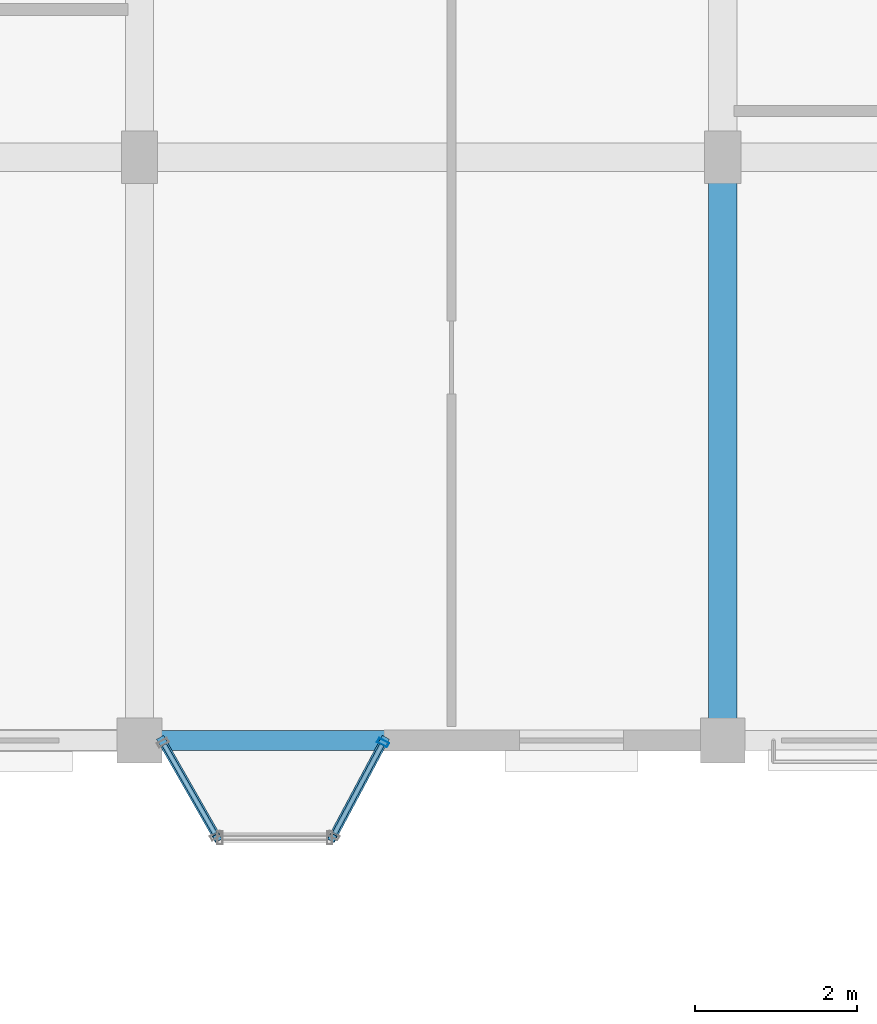
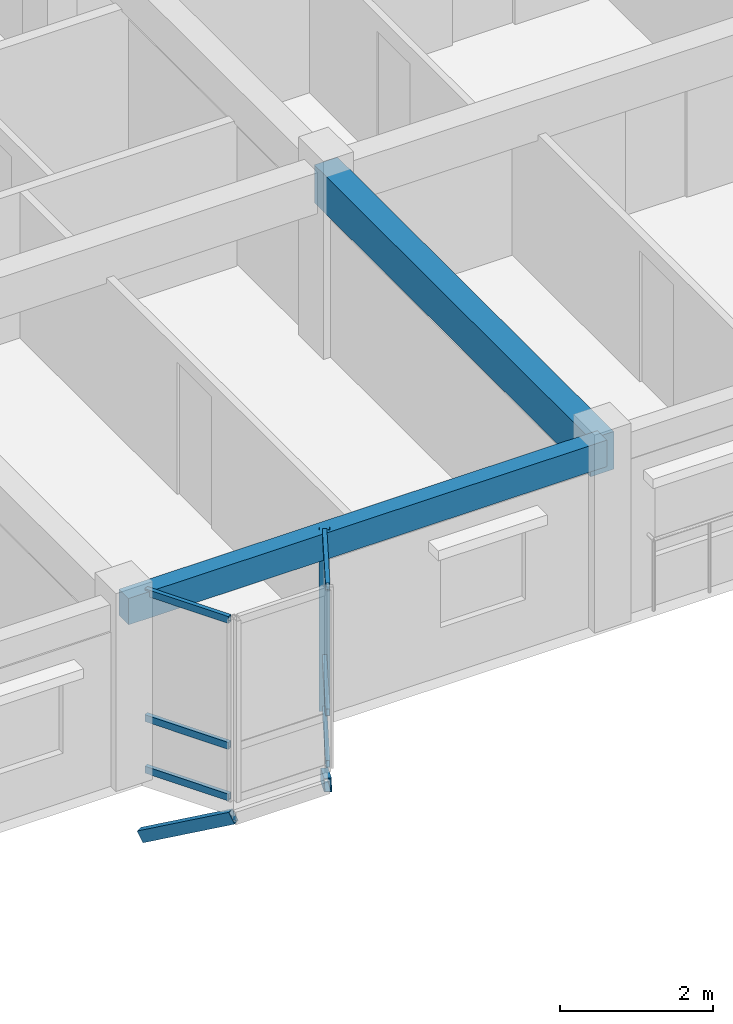
# One storey, part 34 of 79: 9 members, 2 beams, 2 elements without a shape of their own.
"""IFC4 building model written with IfcOpenShell, lengths in metres."""

from ifc_helpers import new_model, si_unit, direction, frame, origin, origin_2d, place, context, subcontext, project, spatial, rectangle, hollow_rectangle, extrude, material, layer, layer_set, material_profile, profile_set, type_object, element, aggregate, save


model = new_model("IFC4")

# Units and contexts
model_context = context("Model", 3, precision=1e-05, world=origin(), true_north=direction((0.0, 1.0)))
body_context = subcontext(model_context, "Body", "Model", "MODEL_VIEW")
ifc_project = project(units=[si_unit("LENGTHUNIT", "METRE"), si_unit("AREAUNIT", "SQUARE_METRE"), si_unit("VOLUMEUNIT", "CUBIC_METRE"), si_unit("PLANEANGLEUNIT", "RADIAN"), si_unit("MASSUNIT", "GRAM", prefix="KILO"), si_unit("THERMODYNAMICTEMPERATUREUNIT", "KELVIN"), si_unit("POWERUNIT", "WATT")], contexts=[model_context])

# Site, building, storey
site_placement = place(None, origin())
site = spatial("IfcSite", under=ifc_project, at=site_placement, CompositionType="ELEMENT")
building_placement = place(site_placement, origin())
building = spatial("IfcBuilding", under=site, at=building_placement, Name="Tavuni Mirador Residences", CompositionType="ELEMENT")
storey_placement = place(building_placement, frame((0.0, 0.0, 13.949951171875)))
storey = spatial("IfcBuildingStorey", under=building, at=storey_placement, Name="L04", CompositionType="ELEMENT", Elevation=13.949951171875)

# Beams
ifc_material_1 = material(Name="Precast concrete C40/50", Category="concrete")
ifc_material_profile_1 = material_profile(ifc_material_1, rectangle(XDim=0.35009765625, YDim=0.60009765625, at=origin_2d()), Name="PC 350x600", Category="concrete")
ifc_profile_set_1 = profile_set([ifc_material_profile_1], Name="Precast concrete C40/50")
beam_type_1 = type_object("IfcBeamType", Name="BT-B600", PredefinedType="BEAM", material=ifc_profile_set_1)
beam_1_placement = place(storey_placement, frame((25.199951171875, 144.0, 2.5849609375), z_axis=(0.0, 1.0, 0.0), x_axis=(-1.0, 0.0, 0.0)))
element("IfcBeam", 1, at=beam_1_placement, inside=storey, type_object=beam_type_1, Name="BMY-BLK-C-L04-02-00", PredefinedType="BEAM", context=body_context, shape_type="SweptSolid", body=[
    extrude(rectangle(XDim=0.35009765625, YDim=0.60009765625, at=origin_2d()), origin(), (0.0, 0.0, 1.0), 7.199951171875),
])
ifc_material_profile_2 = material_profile(ifc_material_1, rectangle(XDim=0.25, YDim=0.419921875, at=origin_2d()), Name="PC 250x420", Category="concrete")
ifc_profile_set_2 = profile_set([ifc_material_profile_2], Name="Precast concrete C40/50")
beam_type_2 = type_object("IfcBeamType", Name="BT-SP420", PredefinedType="SPANDREL", material=ifc_profile_set_2)
beam_2_placement = place(storey_placement, frame((18.0, 144.0, 2.675048828125), z_axis=(1.0, 0.0, 0.0), x_axis=(0.0, 1.0, 0.0)))
element("IfcBeam", 2, at=beam_2_placement, inside=storey, type_object=beam_type_2, Name="BMX-BLK-C-L04-01-00", PredefinedType="SPANDREL", context=body_context, shape_type="SweptSolid", body=[
    extrude(rectangle(XDim=0.25, YDim=0.419921875, at=origin_2d()), origin(), (0.0, 0.0, 1.0), 7.199951171875),
])

# Curtain wall, member
ifc_material_2 = material(Name="Anodised aluminium", Category="aluminium")
ifc_layer_1 = layer(ifc_material_2, 0.1650390625, Name="Anodised aluminium", Category="aluminium")
ifc_layer_set_1 = layer_set([ifc_layer_1], Name="Anodised aluminium")
curtain_wall_type_1 = type_object("IfcCurtainWallType", Name="CWT-MIR-A", PredefinedType="NOTDEFINED", material=ifc_layer_set_1)
curtain_wall_1_placement = place(storey_placement, origin())
curtain_wall_1 = element("IfcCurtainWall", 3, at=curtain_wall_1_placement, inside=storey, type_object=curtain_wall_type_1, Name="CW-MIR-C-S1-L04-M2", PredefinedType="NOTDEFINED")
ifc_material_profile_3 = material_profile(ifc_material_2, hollow_rectangle(XDim=0.06005859375, YDim=0.139892578125, WallThickness=0.00390625, at=origin_2d()), Name="ALU 60x140x4.0", Category="aluminium")
ifc_profile_set_3 = profile_set([ifc_material_profile_3], Name="Anodised aluminium")
member_type_1 = type_object("IfcMemberType", Name="CWM-140", PredefinedType="MULLION", material=ifc_profile_set_3)
member_1_placement = place(storey_placement, frame((21.005859375, 143.9736328125, 0.0), z_axis=(0.0, 0.0, 1.0), x_axis=(0.470588235296, 0.882352941175, 0.0)))
member_1 = element("IfcMember", 4, at=member_1_placement, type_object=member_type_1, Name="CW-01 mullion 2", PredefinedType="MULLION", context=body_context, shape_type="SweptSolid", body=[
    extrude(hollow_rectangle(XDim=0.06005859375, YDim=0.139892578125, WallThickness=0.00390625, at=origin_2d()), origin(), (0.0, 0.0, 1.0), 2.885009765625),
])

# Curtain wall, members
ifc_layer_2 = layer(ifc_material_2, 0.175048828125, Name="Anodised aluminium", Category="aluminium")
ifc_layer_set_2 = layer_set([ifc_layer_2], Name="Anodised aluminium")
curtain_wall_type_2 = type_object("IfcCurtainWallType", Name="CWT-MIR-C", PredefinedType="NOTDEFINED", material=ifc_layer_set_2)
curtain_wall_2_placement = place(storey_placement, origin())
curtain_wall_2 = element("IfcCurtainWall", 5, at=curtain_wall_2_placement, inside=storey, type_object=curtain_wall_type_2, Name="CW-MIR-C-S1-L04-M1", PredefinedType="NOTDEFINED")
ifc_material_profile_4 = material_profile(ifc_material_2, hollow_rectangle(XDim=0.06005859375, YDim=0.110107421875, WallThickness=0.00390625, at=origin_2d()), Name="ALU 60x110x4.0", Category="aluminium")
ifc_profile_set_4 = profile_set([ifc_material_profile_4], Name="Anodised aluminium")
member_type_2 = type_object("IfcMemberType", Name="CWT-110", PredefinedType="USERDEFINED", material=ifc_profile_set_4)
member_2_placement = place(storey_placement, frame((18.3046875, 143.947998046875, 0.030029296875), z_axis=(0.49568048457, -0.868504955205, 0.0), x_axis=(0.868504955205, 0.49568048457, 0.0)))
member_2 = element("IfcMember", 6, at=member_2_placement, type_object=member_type_2, Name="CW-03 transom 1.1", ObjectType="TRANSOM", PredefinedType="USERDEFINED", context=body_context, shape_type="SweptSolid", body=[
    extrude(hollow_rectangle(XDim=0.06005859375, YDim=0.110107421875, WallThickness=0.00390625, at=origin_2d()), origin(), (0.0, 0.0, 1.0), 1.261962890625),
])
member_3_placement = place(storey_placement, frame((18.3046875, 143.947998046875, 0.85009765625), z_axis=(0.49568048457, -0.868504955205, 0.0), x_axis=(0.868504955205, 0.49568048457, 0.0)))
member_3 = element("IfcMember", 7, at=member_3_placement, type_object=member_type_2, Name="CW-03 transom 1.2", ObjectType="TRANSOM", PredefinedType="USERDEFINED", context=body_context, shape_type="SweptSolid", body=[
    extrude(hollow_rectangle(XDim=0.06005859375, YDim=0.110107421875, WallThickness=0.00390625, at=origin_2d()), origin(), (0.0, 0.0, 1.0), 1.261962890625),
])
member_4_placement = place(storey_placement, frame((18.3046875, 143.947998046875, 2.85498046875), z_axis=(0.49568048457, -0.868504955205, 0.0), x_axis=(0.868504955205, 0.49568048457, 0.0)))
member_4 = element("IfcMember", 8, at=member_4_placement, type_object=member_type_2, Name="CW-03 transom 1.3", ObjectType="TRANSOM", PredefinedType="USERDEFINED", context=body_context, shape_type="SweptSolid", body=[
    extrude(hollow_rectangle(XDim=0.06005859375, YDim=0.110107421875, WallThickness=0.00390625, at=origin_2d()), origin(), (0.0, 0.0, 1.0), 1.261962890625),
])
aggregate(curtain_wall_2, [member_2, member_3, member_4])

# Member
member_5_placement = place(storey_placement, frame((20.408203125, 142.85302734375, 0.030029296875), z_axis=(0.470608675382, 0.882342039492, 0.0), x_axis=(-0.882342039492, 0.470608675382, 0.0)))
member_5 = element("IfcMember", 9, at=member_5_placement, type_object=member_type_2, Name="CW-01 transom 1.1", ObjectType="TRANSOM", PredefinedType="USERDEFINED", context=body_context, shape_type="SweptSolid", body=[
    extrude(hollow_rectangle(XDim=0.06005859375, YDim=0.110107421875, WallThickness=0.00390625, at=origin_2d()), origin(), (0.0, 0.0, 1.0), 1.239990234375),
])

member_6_placement = place(storey_placement, frame((20.408203125, 142.85302734375, 0.85009765625), z_axis=(0.470608675382, 0.882342039492, 0.0), x_axis=(-0.882342039492, 0.470608675382, 0.0)))
member_6 = element("IfcMember", 10, at=member_6_placement, type_object=member_type_2, Name="CW-01 transom 1.2", ObjectType="TRANSOM", PredefinedType="USERDEFINED", context=body_context, shape_type="SweptSolid", body=[
    extrude(hollow_rectangle(XDim=0.06005859375, YDim=0.110107421875, WallThickness=0.00390625, at=origin_2d()), origin(), (0.0, 0.0, 1.0), 1.239990234375),
])

member_7_placement = place(storey_placement, frame((20.408203125, 142.85302734375, 2.85498046875), z_axis=(0.470608675382, 0.882342039492, 0.0), x_axis=(-0.882342039492, 0.470608675382, 0.0)))
member_7 = element("IfcMember", 11, at=member_7_placement, type_object=member_type_2, Name="CW-01 transom 1.3", ObjectType="TRANSOM", PredefinedType="USERDEFINED", context=body_context, shape_type="SweptSolid", body=[
    extrude(hollow_rectangle(XDim=0.06005859375, YDim=0.110107421875, WallThickness=0.00390625, at=origin_2d()), origin(), (0.0, 0.0, 1.0), 1.239990234375),
])

aggregate(curtain_wall_1, [member_1, member_5, member_6, member_7])

# Members
ifc_material_3 = material(Name="Structural steel S355", Category="steel")
ifc_material_profile_5 = material_profile(ifc_material_3, hollow_rectangle(XDim=0.10009765625, YDim=0.179931640625, WallThickness=0.008056640625, at=origin_2d()), Name="RHS 180x100x8.0", Category="steel")
ifc_profile_set_5 = profile_set([ifc_material_profile_5], Name="Structural steel S355")
member_type_3 = type_object("IfcMemberType", Name="MT-BR-RHS180", PredefinedType="BRACE", material=ifc_profile_set_5)
member_8_placement = place(storey_placement, frame((18.27490234375, 144.0, -1.050048828125), z_axis=(0.431062666154, -0.755050963701, 0.494047588863), x_axis=(0.868438794398, 0.495796390047, 0.0)))
element("IfcMember", 12, at=member_8_placement, inside=storey, type_object=member_type_3, Name="MBRK-MIR-C-S1-L04-1", PredefinedType="BRACE", context=body_context, shape_type="SweptSolid", body=[
    extrude(hollow_rectangle(XDim=0.10009765625, YDim=0.179931640625, WallThickness=0.008056640625, at=origin_2d()), origin(), (0.0, 0.0, 1.0), 1.589111328125),
])
member_9_placement = place(storey_placement, frame((21.02001953125, 144.0, -1.050048828125), z_axis=(-0.4076288534, -0.764109769055, 0.499974978084), x_axis=(0.882303244255, -0.470681405175, 0.0)))
element("IfcMember", 13, at=member_9_placement, inside=storey, type_object=member_type_3, Name="MBRK-MIR-C-S1-L04-2", PredefinedType="BRACE", context=body_context, shape_type="SweptSolid", body=[
    extrude(hollow_rectangle(XDim=0.10009765625, YDim=0.179931640625, WallThickness=0.008056640625, at=origin_2d()), origin(), (0.0, 0.0, 1.0), 1.5703125),
])

save(model, "model.ifc")
